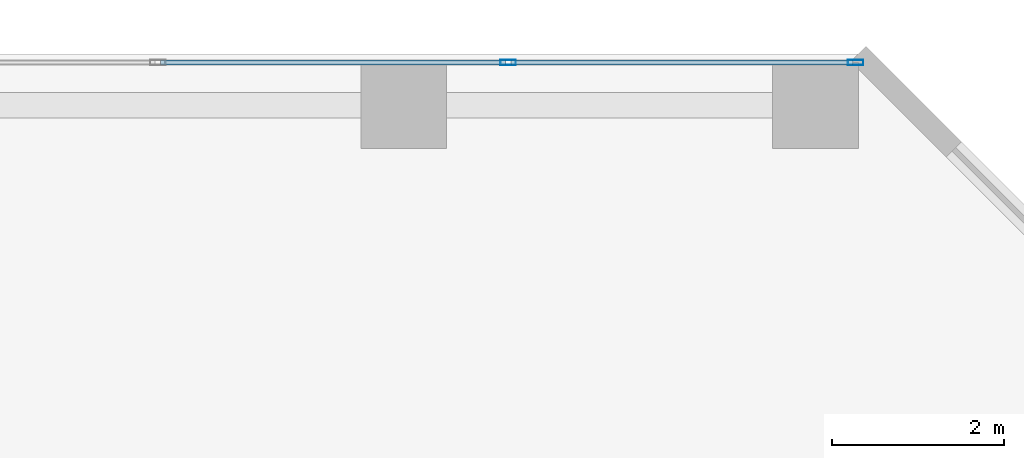
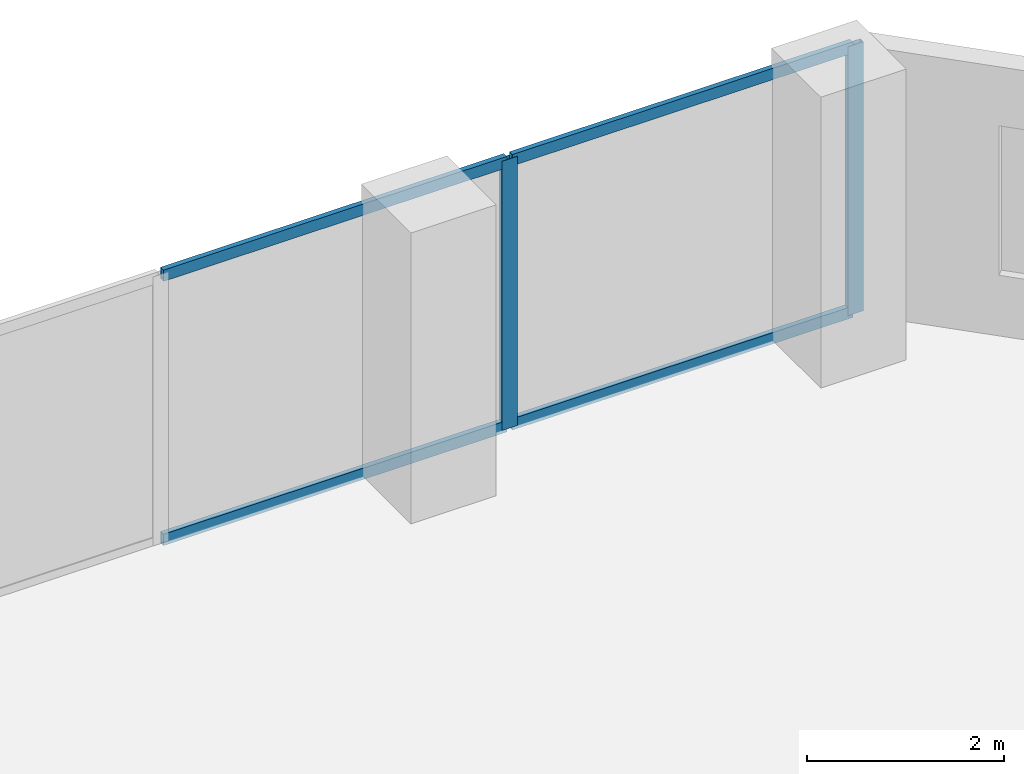
# One storey, part 25 of 32: 6 members, 1 element without a shape of its own.
"""IFC4 building model written with IfcOpenShell, lengths in metres."""

import ifcopenshell
import ifcopenshell.guid

model = None  # the IFC model being written
_history = None  # IfcOwnerHistory: only IFC2X3 demands one
_inside = {}  # id of a spatial element -> (the spatial element, [elements in it])
_under = {}  # id of a project, library or spatial element -> (it, [spatial elements below it])
_declared = {}  # id of a project -> (the project, [libraries it declares])
_typed = {}  # id of a type object -> (the type object, [elements of that type])
_made_of = {}  # id of a material, layer set ... -> (it, [elements and type objects made of it])


def new_model(schema):
    """Start an empty IFC model of exactly this schema.

    Asked for "IFC4X3", IfcOpenShell would pick the latest addendum, in which some entities
    have other attributes; the version numbers below select the first issue.
    IFC2X3 requires an IfcOwnerHistory on every rooted entity: one is made here for all.
    """
    global model, _history
    if schema == "IFC4X3":
        model = ifcopenshell.file(schema_version=(4, 3, 0, 0))
    else:
        model = ifcopenshell.file(schema=schema)
    _inside.clear()
    _under.clear()
    _declared.clear()
    _typed.clear()
    _made_of.clear()
    _history = None
    if model.schema == "IFC2X3":
        org = make("IfcOrganization", Name="unknown")
        user = make(
            "IfcPersonAndOrganization",
            ThePerson=make("IfcPerson", FamilyName="unknown"),
            TheOrganization=org,
        )
        app = make(
            "IfcApplication",
            ApplicationDeveloper=org,
            Version="unknown",
            ApplicationFullName="unknown",
            ApplicationIdentifier="unknown",
        )
        _history = make(
            "IfcOwnerHistory",
            OwningUser=user,
            OwningApplication=app,
            ChangeAction="ADDED",
            CreationDate=0,
        )
    return model


def make(cls, **values):
    """One entity of the class cls with the attributes given. An attribute that is None is left unset."""
    return model.create_entity(
        cls, **{name: value for name, value in values.items() if value is not None}
    )


def rooted(cls, **values):
    """An entity with a GlobalId (a new one), such as an element, a storey or a relation."""
    return make(cls, GlobalId=ifcopenshell.guid.new(), OwnerHistory=_history, **values)


def si_unit(unit_type, name, prefix=None):
    """IfcSIUnit, for example si_unit("LENGTHUNIT", "METRE", prefix="MILLI")."""
    return make("IfcSIUnit", UnitType=unit_type, Prefix=prefix, Name=name)


def assignment(units):
    """IfcUnitAssignment: the units of a project."""
    return None if units is None else make("IfcUnitAssignment", Units=units)


def point(xyz):
    """IfcCartesianPoint."""
    return None if xyz is None else make("IfcCartesianPoint", Coordinates=xyz)


def direction(xyz):
    """IfcDirection."""
    return None if xyz is None else make("IfcDirection", DirectionRatios=xyz)


def frame(location, z_axis=None, x_axis=None):
    """IfcAxis2Placement3D, a coordinate frame: its origin and axes. An axis left out is left unset."""
    return make(
        "IfcAxis2Placement3D",
        Location=point(location),
        Axis=direction(z_axis),
        RefDirection=direction(x_axis),
    )


def frame_2d(location, x_axis=None):
    """IfcAxis2Placement2D, a coordinate frame in the plane: its origin and x axis."""
    return make(
        "IfcAxis2Placement2D", Location=point(location), RefDirection=direction(x_axis)
    )


def origin():
    """The frame at (0, 0, 0) with its axes left unset."""
    return frame((0.0, 0.0, 0.0))


def origin_2d():
    """The frame at (0, 0) in the plane with its x axis left unset."""
    return frame_2d((0.0, 0.0))


def place(relative_to, where):
    """IfcLocalPlacement: puts the frame where relative to a parent placement (None: the world)."""
    return make(
        "IfcLocalPlacement", PlacementRelTo=relative_to, RelativePlacement=where
    )


def context(
    kind, dimensions, precision=None, world=None, true_north=None, identifier=None
):
    """IfcGeometricRepresentationContext, for example the 3D "Model" context."""
    return make(
        "IfcGeometricRepresentationContext",
        ContextIdentifier=identifier,
        ContextType=kind,
        CoordinateSpaceDimension=dimensions,
        Precision=precision,
        WorldCoordinateSystem=world,
        TrueNorth=true_north,
    )


def subcontext(parent, identifier, kind, view, scale=None):
    """IfcGeometricRepresentationSubContext, for example "Body" below "Model"."""
    return make(
        "IfcGeometricRepresentationSubContext",
        ContextIdentifier=identifier,
        ContextType=kind,
        ParentContext=parent,
        TargetScale=scale,
        TargetView=view,
    )


def project(units=None, contexts=None):
    """IfcProject with its units and contexts."""
    return rooted(
        "IfcProject",
        Name="project",
        RepresentationContexts=contexts,
        UnitsInContext=assignment(units),
    )


def spatial(cls, under=None, at=None, **own):
    """A site, building, storey or space (cls), placed at a placement, below another one or the project."""
    s = rooted(cls, ObjectPlacement=at, **own)
    if under is not None:
        _under.setdefault(under.id(), (under, []))[1].append(s)
    return s


def profile(cls, at=None, kind="AREA", **sizes):
    """A parametric profile (cls). Its sizes go by their IFC names, for example OverallWidth=200.0."""
    return make(cls, ProfileType=kind, Position=at, **sizes)


def hollow_rectangle(**sizes):
    """IfcRectangleHollowProfileDef."""
    return profile("IfcRectangleHollowProfileDef", **sizes)


def extrude(swept, where, along, depth):
    """IfcExtrudedAreaSolid: the profile swept, set in the frame where, extruded along a direction by depth."""
    return make(
        "IfcExtrudedAreaSolid",
        SweptArea=swept,
        Position=where,
        ExtrudedDirection=direction(along),
        Depth=depth,
    )


def shape(context_of_items, identifier, shape_type, items):
    """IfcShapeRepresentation: the items that make up one representation, for example the "Body"."""
    return make(
        "IfcShapeRepresentation",
        ContextOfItems=context_of_items,
        RepresentationIdentifier=identifier,
        RepresentationType=shape_type,
        Items=items,
    )


def material(Name=None, Category=None):
    """IfcMaterial."""
    return make("IfcMaterial", Name=Name, Category=Category)


def layer(
    of_material, thickness, ventilated=None, Name=None, Category=None, Priority=None
):
    """IfcMaterialLayer: one layer of a wall or slab, of a material (None: an air gap)."""
    return make(
        "IfcMaterialLayer",
        Material=of_material,
        LayerThickness=thickness,
        IsVentilated=ventilated,
        Name=Name,
        Category=Category,
        Priority=Priority,
    )


def layer_set(layers, Name=None):
    """IfcMaterialLayerSet."""
    return make("IfcMaterialLayerSet", MaterialLayers=layers, LayerSetName=Name)


def material_profile(
    of_material, cross_section, Name=None, Category=None, Priority=None
):
    """IfcMaterialProfile: a cross section and its material."""
    return make(
        "IfcMaterialProfile",
        Name=Name,
        Material=of_material,
        Profile=cross_section,
        Priority=Priority,
        Category=Category,
    )


def profile_set(profiles, Name=None, composite=None):
    """IfcMaterialProfileSet."""
    return make(
        "IfcMaterialProfileSet",
        Name=Name,
        MaterialProfiles=profiles,
        CompositeProfile=composite,
    )


def made_of(thing, what):
    """Note that an element or type object is made of a material, layer set ...; save() writes the relation."""
    if what is not None:
        _made_of.setdefault(what.id(), (what, []))[1].append(thing)
    return thing


def type_object(cls, material=None, **own):
    """A type object (cls), such as IfcWallType, which elements share."""
    return made_of(rooted(cls, **own), material)


def element(
    cls,
    number,
    at=None,
    inside=None,
    cuts=None,
    type_object=None,
    material=None,
    context=None,
    identifier="Body",
    shape_type=None,
    held_by="IfcProductDefinitionShape",
    body=None,
    shapes=None,
    **own,
):
    """One element of the class cls, such as IfcWall. Its Tag is "e" and its number.

    at: its placement. inside: the storey or other place that contains it. cuts: it is an
    opening in that element (IfcRelVoidsElement). A single representation is given by context,
    identifier, shape_type and body (its items); several are given by shapes. held_by: the class
    of the entity that holds the representations. save() writes the other relations.
    """
    e = rooted(cls, Tag="e%d" % number, ObjectPlacement=at, **own)
    if body is not None:
        shapes = [shape(context, identifier, shape_type, body)]
    if shapes is not None:
        e.Representation = make(held_by, Representations=shapes)
    if inside is not None:
        _inside.setdefault(inside.id(), (inside, []))[1].append(e)
    if cuts is not None:
        rooted(
            "IfcRelVoidsElement", RelatingBuildingElement=cuts, RelatedOpeningElement=e
        )
    if type_object is not None:
        _typed.setdefault(type_object.id(), (type_object, []))[1].append(e)
    return made_of(e, material)


def aggregate(whole, parts):
    """IfcRelAggregates: a whole, such as a stair, and the parts it consists of."""
    return rooted("IfcRelAggregates", RelatingObject=whole, RelatedObjects=parts)


def save(model, path):
    """Write the relations noted so far, then the file.

    IfcRelAggregates (storeys below a building ...), IfcRelContainedInSpatialStructure (elements
    in a storey), IfcRelDefinesByType, IfcRelAssociatesMaterial and IfcRelDeclares: one each for
    every whole, place, type object, material and project.
    """
    for whole, parts in _under.values():
        aggregate(whole, parts)
    for where, things in _inside.values():
        rooted(
            "IfcRelContainedInSpatialStructure",
            RelatedElements=things,
            RelatingStructure=where,
        )
    for kind, things in _typed.values():
        rooted("IfcRelDefinesByType", RelatedObjects=things, RelatingType=kind)
    for what, things in _made_of.values():
        rooted("IfcRelAssociatesMaterial", RelatedObjects=things, RelatingMaterial=what)
    for by, libraries in _declared.values():
        rooted("IfcRelDeclares", RelatingContext=by, RelatedDefinitions=libraries)
    model.write(path)


model = new_model("IFC4")

# Units and contexts
model_context = context("Model", 3, precision=1e-05, world=origin(), true_north=direction((0.0, 1.0)))
body_context = subcontext(model_context, "Body", "Model", "MODEL_VIEW")
ifc_project = project(units=[si_unit("LENGTHUNIT", "METRE"), si_unit("AREAUNIT", "SQUARE_METRE"), si_unit("VOLUMEUNIT", "CUBIC_METRE"), si_unit("PLANEANGLEUNIT", "RADIAN"), si_unit("MASSUNIT", "GRAM", prefix="KILO")], contexts=[model_context])

# Site, building, storey
site_placement = place(None, origin())
site = spatial("IfcSite", under=ifc_project, at=site_placement, CompositionType="ELEMENT")
building_placement = place(site_placement, origin())
building = spatial("IfcBuilding", under=site, at=building_placement, Name="Catumbela Crestline Tower", CompositionType="ELEMENT")
storey_placement = place(building_placement, frame((0.0, 0.0, 29.4)))
storey = spatial("IfcBuildingStorey", under=building, at=storey_placement, Name="L06", CompositionType="ELEMENT", Elevation=29.4)

# Curtain wall, members
ifc_material = material(Name="Aluminium alloy AW-6060-T66", Category="aluminium")
ifc_layer = layer(ifc_material, 0.18, Name="Aluminium alloy AW-6060-T66")
ifc_layer_set = layer_set([ifc_layer], Name="Aluminium alloy AW-6060-T66")
curtain_wall_type = type_object("IfcCurtainWallType", Name="CWU-Z1", PredefinedType="USERDEFINED", material=ifc_layer_set)
curtain_wall_placement = place(storey_placement, origin())
curtain_wall = element("IfcCurtainWall", 1, at=curtain_wall_placement, inside=storey, type_object=curtain_wall_type, Name="L06 Unitised Curtain Wall CW-L06-E7S1", ObjectType="UNITISED", PredefinedType="USERDEFINED")
ifc_material_profile_1 = material_profile(ifc_material, hollow_rectangle(XDim=0.065, YDim=0.18, WallThickness=0.004, at=origin_2d()), Name="ALU 180x65x4")
ifc_profile_set_1 = profile_set([ifc_material_profile_1], Name="Aluminium alloy AW-6060-T66")
member_type_1 = type_object("IfcMemberType", Name="MUL-180X65", PredefinedType="MULLION", material=ifc_profile_set_1)
member_1_placement = place(storey_placement, frame((52.4675, 47.9, 0.0), z_axis=(0.0, 0.0, 1.0), x_axis=(0.0, -1.0, 0.0)))
member_1 = element("IfcMember", 2, at=member_1_placement, type_object=member_type_1, Name="CWU-Z1 mullion 1", PredefinedType="MULLION", context=body_context, shape_type="SweptSolid", body=[
    extrude(hollow_rectangle(XDim=0.065, YDim=0.18, WallThickness=0.004, at=origin_2d()), origin(), (0.0, 0.0, 1.0), 3.33),
])
member_2_placement = place(storey_placement, frame((48.4167, 47.9, 0.0), z_axis=(0.0, 0.0, 1.0), x_axis=(0.0, -1.0, 0.0)))
member_2 = element("IfcMember", 3, at=member_2_placement, type_object=member_type_1, Name="CWU-Z1 mullion 2", PredefinedType="MULLION", context=body_context, shape_type="SweptSolid", body=[
    extrude(hollow_rectangle(XDim=0.065, YDim=0.18, WallThickness=0.004, at=origin_2d()), origin(), (0.0, 0.0, 1.0), 3.33),
])
ifc_material_profile_2 = material_profile(ifc_material, hollow_rectangle(XDim=0.06, YDim=0.14, WallThickness=0.004, at=origin_2d()), Name="ALU 140x60x4")
ifc_profile_set_2 = profile_set([ifc_material_profile_2], Name="Aluminium alloy AW-6060-T66")
member_type_2 = type_object("IfcMemberType", Name="TRN-140X60", PredefinedType="USERDEFINED", material=ifc_profile_set_2)
member_3_placement = place(storey_placement, frame((52.435, 47.9, 0.03), z_axis=(-1.0, 0.0, 0.0), x_axis=(0.0, -1.0, 0.0)))
member_3 = element("IfcMember", 4, at=member_3_placement, type_object=member_type_2, Name="CWU-Z1 transom 1.1", ObjectType="TRANSOM", PredefinedType="USERDEFINED", context=body_context, shape_type="SweptSolid", body=[
    extrude(hollow_rectangle(XDim=0.06, YDim=0.14, WallThickness=0.004, at=origin_2d()), origin(), (0.0, 0.0, 1.0), 3.9858),
])
member_4_placement = place(storey_placement, frame((52.435, 47.9, 3.3), z_axis=(-1.0, 0.0, 0.0), x_axis=(0.0, -1.0, 0.0)))
member_4 = element("IfcMember", 5, at=member_4_placement, type_object=member_type_2, Name="CWU-Z1 transom 1.2", ObjectType="TRANSOM", PredefinedType="USERDEFINED", context=body_context, shape_type="SweptSolid", body=[
    extrude(hollow_rectangle(XDim=0.06, YDim=0.14, WallThickness=0.004, at=origin_2d()), origin(), (0.0, 0.0, 1.0), 3.9858),
])
member_5_placement = place(storey_placement, frame((48.3842, 47.9, 0.03), z_axis=(-1.0, 0.0, 0.0), x_axis=(0.0, -1.0, 0.0)))
member_5 = element("IfcMember", 6, at=member_5_placement, type_object=member_type_2, Name="CWU-Z1 transom 2.1", ObjectType="TRANSOM", PredefinedType="USERDEFINED", context=body_context, shape_type="SweptSolid", body=[
    extrude(hollow_rectangle(XDim=0.06, YDim=0.14, WallThickness=0.004, at=origin_2d()), origin(), (0.0, 0.0, 1.0), 4.0184),
])
member_6_placement = place(storey_placement, frame((48.3842, 47.9, 3.3), z_axis=(-1.0, 0.0, 0.0), x_axis=(0.0, -1.0, 0.0)))
member_6 = element("IfcMember", 7, at=member_6_placement, type_object=member_type_2, Name="CWU-Z1 transom 2.2", ObjectType="TRANSOM", PredefinedType="USERDEFINED", context=body_context, shape_type="SweptSolid", body=[
    extrude(hollow_rectangle(XDim=0.06, YDim=0.14, WallThickness=0.004, at=origin_2d()), origin(), (0.0, 0.0, 1.0), 4.0184),
])
aggregate(curtain_wall, [member_1, member_2, member_3, member_4, member_5, member_6])

save(model, "model.ifc")
